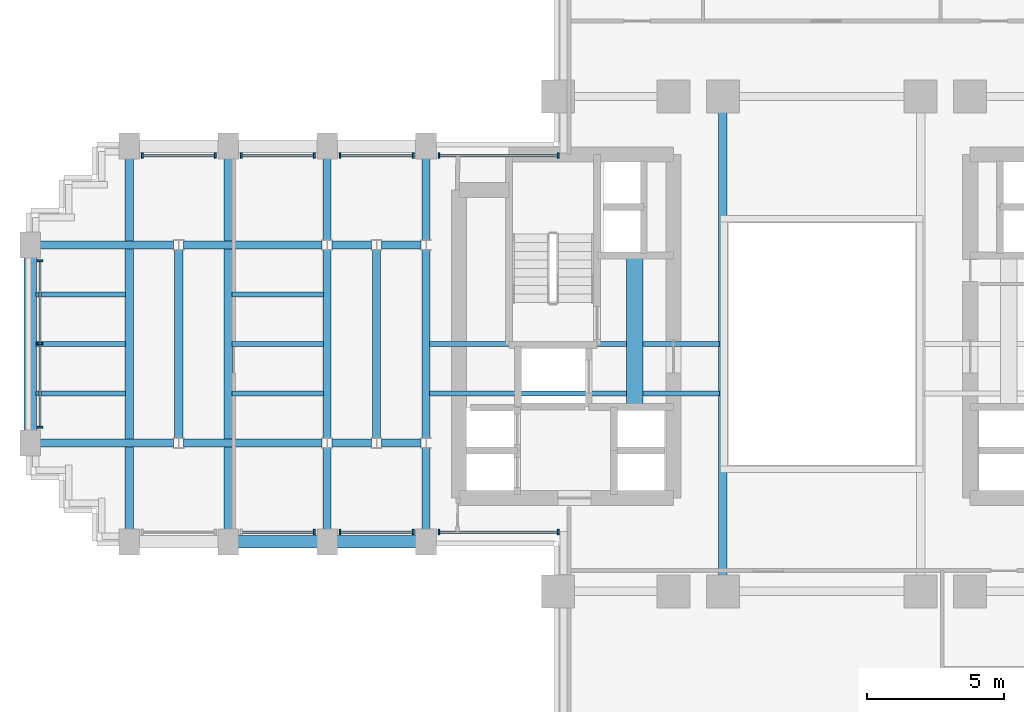
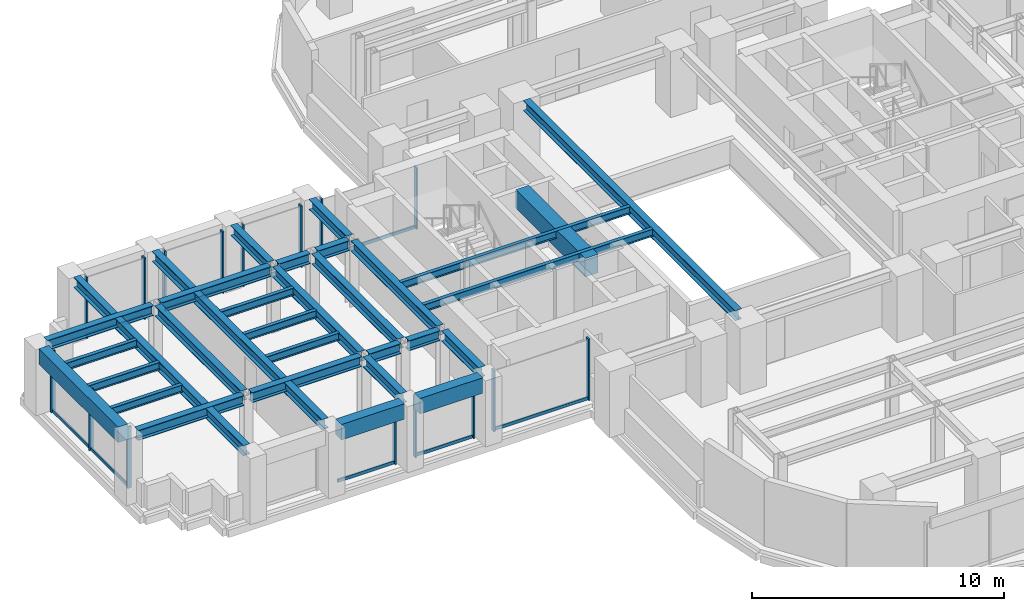
# One storey, part 4 of 16: 31 beams, 25 members, 8 elements without a shape of their own.
"""IFC4 building model written with IfcOpenShell, lengths in metres."""

import ifcopenshell
import ifcopenshell.guid

model = None  # the IFC model being written
_history = None  # IfcOwnerHistory: only IFC2X3 demands one
_inside = {}  # id of a spatial element -> (the spatial element, [elements in it])
_under = {}  # id of a project, library or spatial element -> (it, [spatial elements below it])
_declared = {}  # id of a project -> (the project, [libraries it declares])
_typed = {}  # id of a type object -> (the type object, [elements of that type])
_made_of = {}  # id of a material, layer set ... -> (it, [elements and type objects made of it])


def new_model(schema):
    """Start an empty IFC model of exactly this schema.

    Asked for "IFC4X3", IfcOpenShell would pick the latest addendum, in which some entities
    have other attributes; the version numbers below select the first issue.
    IFC2X3 requires an IfcOwnerHistory on every rooted entity: one is made here for all.
    """
    global model, _history
    if schema == "IFC4X3":
        model = ifcopenshell.file(schema_version=(4, 3, 0, 0))
    else:
        model = ifcopenshell.file(schema=schema)
    _inside.clear()
    _under.clear()
    _declared.clear()
    _typed.clear()
    _made_of.clear()
    _history = None
    if model.schema == "IFC2X3":
        org = make("IfcOrganization", Name="unknown")
        user = make(
            "IfcPersonAndOrganization",
            ThePerson=make("IfcPerson", FamilyName="unknown"),
            TheOrganization=org,
        )
        app = make(
            "IfcApplication",
            ApplicationDeveloper=org,
            Version="unknown",
            ApplicationFullName="unknown",
            ApplicationIdentifier="unknown",
        )
        _history = make(
            "IfcOwnerHistory",
            OwningUser=user,
            OwningApplication=app,
            ChangeAction="ADDED",
            CreationDate=0,
        )
    return model


def make(cls, **values):
    """One entity of the class cls with the attributes given. An attribute that is None is left unset."""
    return model.create_entity(
        cls, **{name: value for name, value in values.items() if value is not None}
    )


def rooted(cls, **values):
    """An entity with a GlobalId (a new one), such as an element, a storey or a relation."""
    return make(cls, GlobalId=ifcopenshell.guid.new(), OwnerHistory=_history, **values)


def si_unit(unit_type, name, prefix=None):
    """IfcSIUnit, for example si_unit("LENGTHUNIT", "METRE", prefix="MILLI")."""
    return make("IfcSIUnit", UnitType=unit_type, Prefix=prefix, Name=name)


def assignment(units):
    """IfcUnitAssignment: the units of a project."""
    return None if units is None else make("IfcUnitAssignment", Units=units)


def point(xyz):
    """IfcCartesianPoint."""
    return None if xyz is None else make("IfcCartesianPoint", Coordinates=xyz)


def direction(xyz):
    """IfcDirection."""
    return None if xyz is None else make("IfcDirection", DirectionRatios=xyz)


def frame(location, z_axis=None, x_axis=None):
    """IfcAxis2Placement3D, a coordinate frame: its origin and axes. An axis left out is left unset."""
    return make(
        "IfcAxis2Placement3D",
        Location=point(location),
        Axis=direction(z_axis),
        RefDirection=direction(x_axis),
    )


def frame_2d(location, x_axis=None):
    """IfcAxis2Placement2D, a coordinate frame in the plane: its origin and x axis."""
    return make(
        "IfcAxis2Placement2D", Location=point(location), RefDirection=direction(x_axis)
    )


def origin():
    """The frame at (0, 0, 0) with its axes left unset."""
    return frame((0.0, 0.0, 0.0))


def origin_2d():
    """The frame at (0, 0) in the plane with its x axis left unset."""
    return frame_2d((0.0, 0.0))


def place(relative_to, where):
    """IfcLocalPlacement: puts the frame where relative to a parent placement (None: the world)."""
    return make(
        "IfcLocalPlacement", PlacementRelTo=relative_to, RelativePlacement=where
    )


def context(
    kind, dimensions, precision=None, world=None, true_north=None, identifier=None
):
    """IfcGeometricRepresentationContext, for example the 3D "Model" context."""
    return make(
        "IfcGeometricRepresentationContext",
        ContextIdentifier=identifier,
        ContextType=kind,
        CoordinateSpaceDimension=dimensions,
        Precision=precision,
        WorldCoordinateSystem=world,
        TrueNorth=true_north,
    )


def subcontext(parent, identifier, kind, view, scale=None):
    """IfcGeometricRepresentationSubContext, for example "Body" below "Model"."""
    return make(
        "IfcGeometricRepresentationSubContext",
        ContextIdentifier=identifier,
        ContextType=kind,
        ParentContext=parent,
        TargetScale=scale,
        TargetView=view,
    )


def project(units=None, contexts=None):
    """IfcProject with its units and contexts."""
    return rooted(
        "IfcProject",
        Name="project",
        RepresentationContexts=contexts,
        UnitsInContext=assignment(units),
    )


def spatial(cls, under=None, at=None, **own):
    """A site, building, storey or space (cls), placed at a placement, below another one or the project."""
    s = rooted(cls, ObjectPlacement=at, **own)
    if under is not None:
        _under.setdefault(under.id(), (under, []))[1].append(s)
    return s


def profile(cls, at=None, kind="AREA", **sizes):
    """A parametric profile (cls). Its sizes go by their IFC names, for example OverallWidth=200.0."""
    return make(cls, ProfileType=kind, Position=at, **sizes)


def rectangle(**sizes):
    """IfcRectangleProfileDef."""
    return profile("IfcRectangleProfileDef", **sizes)


def i_section(**sizes):
    """IfcIShapeProfileDef."""
    return profile("IfcIShapeProfileDef", **sizes)


def extrude(swept, where, along, depth):
    """IfcExtrudedAreaSolid: the profile swept, set in the frame where, extruded along a direction by depth."""
    return make(
        "IfcExtrudedAreaSolid",
        SweptArea=swept,
        Position=where,
        ExtrudedDirection=direction(along),
        Depth=depth,
    )


def shape(context_of_items, identifier, shape_type, items):
    """IfcShapeRepresentation: the items that make up one representation, for example the "Body"."""
    return make(
        "IfcShapeRepresentation",
        ContextOfItems=context_of_items,
        RepresentationIdentifier=identifier,
        RepresentationType=shape_type,
        Items=items,
    )


def source(mapping_origin, context_of_items, identifier, shape_type, items):
    """IfcRepresentationMap: a shape defined once, which mapped items show again and again."""
    return make(
        "IfcRepresentationMap",
        MappingOrigin=mapping_origin,
        MappedRepresentation=shape(context_of_items, identifier, shape_type, items),
    )


def transform(
    local_origin,
    x_axis=None,
    y_axis=None,
    z_axis=None,
    scale=None,
    scale2=None,
    scale3=None,
    uniform=True,
):
    """IfcCartesianTransformationOperator3D, or its non-uniform kind. x_axis, y_axis, z_axis: its Axis1, 2, 3."""
    if uniform:
        return make(
            "IfcCartesianTransformationOperator3D",
            Axis1=direction(x_axis),
            Axis2=direction(y_axis),
            LocalOrigin=point(local_origin),
            Scale=scale,
            Axis3=direction(z_axis),
        )
    return make(
        "IfcCartesianTransformationOperator3DnonUniform",
        Axis1=direction(x_axis),
        Axis2=direction(y_axis),
        LocalOrigin=point(local_origin),
        Scale=scale,
        Axis3=direction(z_axis),
        Scale2=scale2,
        Scale3=scale3,
    )


def mapped(mapping_source, mapping_target):
    """IfcMappedItem: shows the shape of a source again, moved by a transform."""
    return make(
        "IfcMappedItem", MappingSource=mapping_source, MappingTarget=mapping_target
    )


def material(Name=None, Category=None):
    """IfcMaterial."""
    return make("IfcMaterial", Name=Name, Category=Category)


def material_profile(
    of_material, cross_section, Name=None, Category=None, Priority=None
):
    """IfcMaterialProfile: a cross section and its material."""
    return make(
        "IfcMaterialProfile",
        Name=Name,
        Material=of_material,
        Profile=cross_section,
        Priority=Priority,
        Category=Category,
    )


def profile_set(profiles, Name=None, composite=None):
    """IfcMaterialProfileSet."""
    return make(
        "IfcMaterialProfileSet",
        Name=Name,
        MaterialProfiles=profiles,
        CompositeProfile=composite,
    )


def made_of(thing, what):
    """Note that an element or type object is made of a material, layer set ...; save() writes the relation."""
    if what is not None:
        _made_of.setdefault(what.id(), (what, []))[1].append(thing)
    return thing


def type_object(cls, material=None, **own):
    """A type object (cls), such as IfcWallType, which elements share."""
    return made_of(rooted(cls, **own), material)


def element(
    cls,
    number,
    at=None,
    inside=None,
    cuts=None,
    type_object=None,
    material=None,
    context=None,
    identifier="Body",
    shape_type=None,
    held_by="IfcProductDefinitionShape",
    body=None,
    shapes=None,
    **own,
):
    """One element of the class cls, such as IfcWall. Its Tag is "e" and its number.

    at: its placement. inside: the storey or other place that contains it. cuts: it is an
    opening in that element (IfcRelVoidsElement). A single representation is given by context,
    identifier, shape_type and body (its items); several are given by shapes. held_by: the class
    of the entity that holds the representations. save() writes the other relations.
    """
    e = rooted(cls, Tag="e%d" % number, ObjectPlacement=at, **own)
    if body is not None:
        shapes = [shape(context, identifier, shape_type, body)]
    if shapes is not None:
        e.Representation = make(held_by, Representations=shapes)
    if inside is not None:
        _inside.setdefault(inside.id(), (inside, []))[1].append(e)
    if cuts is not None:
        rooted(
            "IfcRelVoidsElement", RelatingBuildingElement=cuts, RelatedOpeningElement=e
        )
    if type_object is not None:
        _typed.setdefault(type_object.id(), (type_object, []))[1].append(e)
    return made_of(e, material)


def aggregate(whole, parts):
    """IfcRelAggregates: a whole, such as a stair, and the parts it consists of."""
    return rooted("IfcRelAggregates", RelatingObject=whole, RelatedObjects=parts)


def save(model, path):
    """Write the relations noted so far, then the file.

    IfcRelAggregates (storeys below a building ...), IfcRelContainedInSpatialStructure (elements
    in a storey), IfcRelDefinesByType, IfcRelAssociatesMaterial and IfcRelDeclares: one each for
    every whole, place, type object, material and project.
    """
    for whole, parts in _under.values():
        aggregate(whole, parts)
    for where, things in _inside.values():
        rooted(
            "IfcRelContainedInSpatialStructure",
            RelatedElements=things,
            RelatingStructure=where,
        )
    for kind, things in _typed.values():
        rooted("IfcRelDefinesByType", RelatedObjects=things, RelatingType=kind)
    for what, things in _made_of.values():
        rooted("IfcRelAssociatesMaterial", RelatedObjects=things, RelatingMaterial=what)
    for by, libraries in _declared.values():
        rooted("IfcRelDeclares", RelatingContext=by, RelatedDefinitions=libraries)
    model.write(path)


model = new_model("IFC4")

# Units and contexts
model_context = context("Model", 3, precision=1e-05, world=origin(), true_north=direction((0.0, 1.0)))
body_context = subcontext(model_context, "Body", "Model", "MODEL_VIEW")
ifc_project = project(units=[si_unit("LENGTHUNIT", "METRE"), si_unit("AREAUNIT", "SQUARE_METRE"), si_unit("VOLUMEUNIT", "CUBIC_METRE"), si_unit("PLANEANGLEUNIT", "RADIAN"), si_unit("MASSUNIT", "GRAM", prefix="KILO")], contexts=[model_context])

# Site, building, storey
site_placement = place(None, origin())
site = spatial("IfcSite", under=ifc_project, at=site_placement, CompositionType="ELEMENT")
building_placement = place(site_placement, origin())
building = spatial("IfcBuilding", under=site, at=building_placement, Name="Keilestroom Media Tower", CompositionType="ELEMENT")
storey_placement = place(building_placement, frame((0.0, 0.0, 68.0)))
storey = spatial("IfcBuildingStorey", under=building, at=storey_placement, Name="L17", CompositionType="ELEMENT", Elevation=68.0)

# Beams
ifc_material_1 = material(Name="Concrete C70/85", Category="concrete")
ifc_material_profile_1 = material_profile(ifc_material_1, rectangle(XDim=0.60009765625, YDim=0.89990234375, at=origin_2d()), Name="RC 600x900")
ifc_profile_set_1 = profile_set([ifc_material_profile_1], Name="Concrete C70/85")
beam_type_1 = type_object("IfcBeamType", Name="Core-Coupling-Lintel-Beam-RC-600x900", PredefinedType="LINTEL", material=ifc_profile_set_1)
shared_shape_1 = source(origin(), body_context, "Body", "SweptSolid", [
    extrude(rectangle(XDim=0.60009765625, YDim=0.89990234375, at=origin_2d()), origin(), (0.0, 0.0, 1.0), 5.52001953125),
])
beam_1_placement = place(storey_placement, frame((-6.800048828125, -2.300048828125, 2.75), z_axis=(0.0, 1.0, 0.0), x_axis=(-1.0, 0.0, 0.0)))
element("IfcBeam", 1, at=beam_1_placement, inside=storey, type_object=beam_type_1, Name="L17 Beam CLB-1 CLB-L17-W", PredefinedType="LINTEL", context=body_context, shape_type="MappedRepresentation", body=[
    mapped(shared_shape_1, transform((0.0, 0.0, 0.0), x_axis=(1.0, 0.0, 0.0), y_axis=(0.0, 1.0, 0.0), z_axis=(0.0, 0.0, 1.0), scale=1.0)),
])
ifc_material_2 = material(Name="Precast concrete C40/50", Category="concrete")
ifc_material_profile_2 = material_profile(ifc_material_2, rectangle(XDim=0.449951171875, YDim=0.75, at=origin_2d()), Name="PC 450x750")
ifc_profile_set_2 = profile_set([ifc_material_profile_2], Name="Precast concrete C40/50")
beam_type_2 = type_object("IfcBeamType", Name="Perimeter-Spandrel-Beam-PC-450x750", PredefinedType="SPANDREL", material=ifc_profile_set_2)
shared_shape_2 = source(origin(), body_context, "Body", "SweptSolid", [
    extrude(rectangle(XDim=0.449951171875, YDim=0.75, at=origin_2d()), origin(), (0.0, 0.0, 1.0), 6.2900390625),
])
beam_2_placement = place(storey_placement, frame((-28.800048828125, -3.14501953125, 2.824951171875), z_axis=(0.0, 1.0, 0.0), x_axis=(-1.0, 0.0, 0.0)))
element("IfcBeam", 2, at=beam_2_placement, inside=storey, type_object=beam_type_2, Name="L17 Beam SPB-1 BM-L17-NS-051", PredefinedType="SPANDREL", context=body_context, shape_type="MappedRepresentation", body=[
    mapped(shared_shape_2, transform((0.0, 0.0, 0.0), x_axis=(1.0, 0.0, 0.0), y_axis=(0.0, 1.0, 0.0), z_axis=(0.0, 0.0, 1.0), scale=1.0)),
])
shared_shape_3 = source(origin(), body_context, "Body", "SweptSolid", [
    extrude(rectangle(XDim=0.449951171875, YDim=0.75, at=origin_2d()), origin(), (0.0, 0.0, 1.0), 2.89013671875),
])
for number, where, z_axis, x_axis, name in (
    (3, (-21.2451171875, -7.199951171875, 2.824951171875), (1.0, 0.0, 0.0), (0.0, 1.0, 0.0), "L17 Beam SPB-1 BM-L17-EW-013"),
    (4, (-17.64501953125, -7.199951171875, 2.824951171875), (1.0, 0.0, 0.0), (0.0, 1.0, 0.0), "L17 Beam SPB-1 BM-L17-EW-014"),
):
    element("IfcBeam", number, at=place(storey_placement, frame(where, z_axis=z_axis, x_axis=x_axis)), inside=storey, type_object=beam_type_2, Name=name, PredefinedType="SPANDREL", context=body_context, shape_type="MappedRepresentation", body=[
        mapped(shared_shape_3, transform((0.0, 0.0, 0.0), x_axis=(1.0, 0.0, 0.0), y_axis=(0.0, 1.0, 0.0), z_axis=(0.0, 0.0, 1.0), scale=1.0)),
    ])
ifc_material_3 = material(Name="Steel S355", Category="steel")
ifc_material_profile_3 = material_profile(ifc_material_3, i_section(OverallWidth=0.300048828125, OverallDepth=0.5, WebThickness=0.012451171875, FlangeThickness=0.028076171875, at=origin_2d()), Name="HEB 500")
ifc_profile_set_3 = profile_set([ifc_material_profile_3], Name="Steel S355")
beam_type_3 = type_object("IfcBeamType", Name="Primary-Structural-Girder-HEB-500", PredefinedType="BEAM", material=ifc_profile_set_3)
shared_shape_4 = source(origin(), body_context, "Body", "SweptSolid", [
    extrude(i_section(OverallWidth=0.300048828125, OverallDepth=0.5, WebThickness=0.012451171875, FlangeThickness=0.028076171875, at=origin_2d()), origin(), (0.0, 0.0, 1.0), 13.490234375),
])
for number, where, z_axis, x_axis, name in (
    (5, (-25.199951171875, -6.7451171875, 2.949951171875), (0.0, 1.0, 0.0), (-1.0, 0.0, 0.0), "L17 Beam BG-6 BM-L17-NS-052"),
    (6, (-21.60009765625, -6.7451171875, 2.949951171875), (0.0, 1.0, 0.0), (-1.0, 0.0, 0.0), "L17 Beam BG-6 BM-L17-NS-054"),
):
    element("IfcBeam", number, at=place(storey_placement, frame(where, z_axis=z_axis, x_axis=x_axis)), inside=storey, type_object=beam_type_3, Name=name, PredefinedType="BEAM", context=body_context, shape_type="MappedRepresentation", body=[
        mapped(shared_shape_4, transform((0.0, 0.0, 0.0), x_axis=(1.0, 0.0, 0.0), y_axis=(0.0, 1.0, 0.0), z_axis=(0.0, 0.0, 1.0), scale=1.0)),
    ])
shared_shape_5 = source(origin(), body_context, "Body", "SweptSolid", [
    extrude(i_section(OverallWidth=0.300048828125, OverallDepth=0.5, WebThickness=0.012451171875, FlangeThickness=0.028076171875, at=origin_2d()), origin(), (0.0, 0.0, 1.0), 6.8330078125),
])
for number, where, z_axis, x_axis, name in (
    (7, (-23.39990234375, -3.41650390625, 2.949951171875), (0.0, 1.0, 0.0), (-1.0, 0.0, 0.0), "L17 Beam BG-6 BM-L17-NS-053"),
    (8, (-18.0, -3.41650390625, 2.949951171875), (0.0, 1.0, 0.0), (-1.0, 0.0, 0.0), "L17 Beam BG-6 BM-L17-NS-056"),
    (9, (-16.199951171875, -3.41650390625, 2.949951171875), (0.0, 1.0, 0.0), (-1.0, 0.0, 0.0), "L17 Beam BG-6 BM-L17-NS-058"),
    (10, (-14.39990234375, -3.41650390625, 2.949951171875), (0.0, 1.0, 0.0), (-1.0, 0.0, 0.0), "L17 Beam BG-6 BM-L17-NS-060"),
):
    element("IfcBeam", number, at=place(storey_placement, frame(where, z_axis=z_axis, x_axis=x_axis)), inside=storey, type_object=beam_type_3, Name=name, PredefinedType="BEAM", context=body_context, shape_type="MappedRepresentation", body=[
        mapped(shared_shape_5, transform((0.0, 0.0, 0.0), x_axis=(1.0, 0.0, 0.0), y_axis=(0.0, 1.0, 0.0), z_axis=(0.0, 0.0, 1.0), scale=1.0)),
    ])
shared_shape_6 = source(origin(), body_context, "Body", "SweptSolid", [
    extrude(i_section(OverallWidth=0.300048828125, OverallDepth=0.5, WebThickness=0.012451171875, FlangeThickness=0.028076171875, at=origin_2d()), origin(), (0.0, 0.0, 1.0), 2.961669921875),
])
for number, where, z_axis, x_axis, name in (
    (11, (-18.0, -6.7451171875, 2.949951171875), (0.0, 1.0, 0.0), (-1.0, 0.0, 0.0), "L17 Beam BG-6 BM-L17-NS-055"),
    (12, (-18.0, 3.783447265625, 2.949951171875), (0.0, 1.0, 0.0), (-1.0, 0.0, 0.0), "L17 Beam BG-6 BM-L17-NS-057"),
    (13, (-14.39990234375, -6.7451171875, 2.949951171875), (0.0, 1.0, 0.0), (-1.0, 0.0, 0.0), "L17 Beam BG-6 BM-L17-NS-059"),
    (14, (-14.39990234375, 3.783447265625, 2.949951171875), (0.0, 1.0, 0.0), (-1.0, 0.0, 0.0), "L17 Beam BG-6 BM-L17-NS-061"),
):
    element("IfcBeam", number, at=place(storey_placement, frame(where, z_axis=z_axis, x_axis=x_axis)), inside=storey, type_object=beam_type_3, Name=name, PredefinedType="BEAM", context=body_context, shape_type="MappedRepresentation", body=[
        mapped(shared_shape_6, transform((0.0, 0.0, 0.0), x_axis=(1.0, 0.0, 0.0), y_axis=(0.0, 1.0, 0.0), z_axis=(0.0, 0.0, 1.0), scale=1.0)),
    ])
shared_shape_7 = source(origin(), body_context, "Body", "SweptSolid", [
    extrude(i_section(OverallWidth=0.300048828125, OverallDepth=0.5, WebThickness=0.012451171875, FlangeThickness=0.028076171875, at=origin_2d()), origin(), (0.0, 0.0, 1.0), 16.83984375),
])
beam_3_placement = place(storey_placement, frame((-3.60009765625, -8.419921875, 2.949951171875), z_axis=(0.0, 1.0, 0.0), x_axis=(-1.0, 0.0, 0.0)))
element("IfcBeam", 15, at=beam_3_placement, inside=storey, type_object=beam_type_3, Name="L17 Beam BG-6 BM-L17-NS-066", PredefinedType="BEAM", context=body_context, shape_type="MappedRepresentation", body=[
    mapped(shared_shape_7, transform((0.0, 0.0, 0.0), x_axis=(1.0, 0.0, 0.0), y_axis=(0.0, 1.0, 0.0), z_axis=(0.0, 0.0, 1.0), scale=1.0)),
])
ifc_material_profile_4 = material_profile(ifc_material_3, i_section(OverallWidth=0.300048828125, OverallDepth=0.489990234375, WebThickness=0.011962890625, FlangeThickness=0.02294921875, at=origin_2d()), Name="HEA 500")
ifc_profile_set_4 = profile_set([ifc_material_profile_4], Name="Steel S355")
beam_type_4 = type_object("IfcBeamType", Name="Primary-Structural-Girder-HEA-500", PredefinedType="BEAM", material=ifc_profile_set_4)
shared_shape_8 = source(origin(), body_context, "Body", "SweptSolid", [
    extrude(i_section(OverallWidth=0.300048828125, OverallDepth=0.489990234375, WebThickness=0.011962890625, FlangeThickness=0.02294921875, at=origin_2d()), origin(), (0.0, 0.0, 1.0), 4.863037109375),
])
for number, where, z_axis, x_axis, name in (
    (16, (-28.445068359375, -3.60009765625, 2.955078125), (1.0, 0.0, 0.0), (0.0, 1.0, 0.0), "L17 Beam BG-10 BM-L17-EW-018"),
    (17, (-28.445068359375, 3.60009765625, 2.955078125), (1.0, 0.0, 0.0), (0.0, 1.0, 0.0), "L17 Beam BG-10 BM-L17-EW-026"),
):
    element("IfcBeam", number, at=place(storey_placement, frame(where, z_axis=z_axis, x_axis=x_axis)), inside=storey, type_object=beam_type_4, Name=name, PredefinedType="BEAM", context=body_context, shape_type="MappedRepresentation", body=[
        mapped(shared_shape_8, transform((0.0, 0.0, 0.0), x_axis=(1.0, 0.0, 0.0), y_axis=(0.0, 1.0, 0.0), z_axis=(0.0, 0.0, 1.0), scale=1.0)),
    ])
shared_shape_9 = source(origin(), body_context, "Body", "SweptSolid", [
    extrude(i_section(OverallWidth=0.300048828125, OverallDepth=0.489990234375, WebThickness=0.011962890625, FlangeThickness=0.02294921875, at=origin_2d()), origin(), (0.0, 0.0, 1.0), 5.0361328125),
])
for number, where, z_axis, x_axis, name in (
    (18, (-23.218017578125, -3.60009765625, 2.955078125), (1.0, 0.0, 0.0), (0.0, 1.0, 0.0), "L17 Beam BG-10 BM-L17-EW-019"),
    (19, (-23.218017578125, 3.60009765625, 2.955078125), (1.0, 0.0, 0.0), (0.0, 1.0, 0.0), "L17 Beam BG-10 BM-L17-EW-027"),
):
    element("IfcBeam", number, at=place(storey_placement, frame(where, z_axis=z_axis, x_axis=x_axis)), inside=storey, type_object=beam_type_4, Name=name, PredefinedType="BEAM", context=body_context, shape_type="MappedRepresentation", body=[
        mapped(shared_shape_9, transform((0.0, 0.0, 0.0), x_axis=(1.0, 0.0, 0.0), y_axis=(0.0, 1.0, 0.0), z_axis=(0.0, 0.0, 1.0), scale=1.0)),
    ])
shared_shape_10 = source(origin(), body_context, "Body", "SweptSolid", [
    extrude(i_section(OverallWidth=0.300048828125, OverallDepth=0.489990234375, WebThickness=0.011962890625, FlangeThickness=0.02294921875, at=origin_2d()), origin(), (0.0, 0.0, 1.0), 1.43603515625),
])
for number, where, z_axis, x_axis, name in (
    (20, (-17.818115234375, -3.60009765625, 2.955078125), (1.0, 0.0, 0.0), (0.0, 1.0, 0.0), "L17 Beam BG-10 BM-L17-EW-020"),
    (21, (-16.01806640625, -3.60009765625, 2.955078125), (1.0, 0.0, 0.0), (0.0, 1.0, 0.0), "L17 Beam BG-10 BM-L17-EW-021"),
    (22, (-17.818115234375, 3.60009765625, 2.955078125), (1.0, 0.0, 0.0), (0.0, 1.0, 0.0), "L17 Beam BG-10 BM-L17-EW-028"),
    (23, (-16.01806640625, 3.60009765625, 2.955078125), (1.0, 0.0, 0.0), (0.0, 1.0, 0.0), "L17 Beam BG-10 BM-L17-EW-029"),
):
    element("IfcBeam", number, at=place(storey_placement, frame(where, z_axis=z_axis, x_axis=x_axis)), inside=storey, type_object=beam_type_4, Name=name, PredefinedType="BEAM", context=body_context, shape_type="MappedRepresentation", body=[
        mapped(shared_shape_10, transform((0.0, 0.0, 0.0), x_axis=(1.0, 0.0, 0.0), y_axis=(0.0, 1.0, 0.0), z_axis=(0.0, 0.0, 1.0), scale=1.0)),
    ])
ifc_material_profile_5 = material_profile(ifc_material_3, i_section(OverallWidth=0.169921875, OverallDepth=0.360107421875, WebThickness=0.008056640625, FlangeThickness=0.0126953125, at=origin_2d()), Name="IPE 360")
ifc_profile_set_5 = profile_set([ifc_material_profile_5], Name="Steel S355")
beam_type_5 = type_object("IfcBeamType", Name="Secondary-Floor-Joist-IPE-360", PredefinedType="JOIST", material=ifc_profile_set_5)
shared_shape_11 = source(origin(), body_context, "Body", "SweptSolid", [
    extrude(i_section(OverallWidth=0.169921875, OverallDepth=0.360107421875, WebThickness=0.008056640625, FlangeThickness=0.0126953125, at=origin_2d()), origin(), (0.0, 0.0, 1.0), 3.264892578125),
])
for number, where, z_axis, x_axis, name in (
    (24, (-28.594970703125, -1.800048828125, 3.02001953125), (1.0, 0.0, 0.0), (0.0, 1.0, 0.0), "L17 Beam BJ-5 JST-L17-089"),
    (25, (-28.594970703125, 0.0, 3.02001953125), (1.0, 0.0, 0.0), (0.0, 1.0, 0.0), "L17 Beam BJ-5 JST-L17-096"),
    (26, (-28.594970703125, 1.800048828125, 3.02001953125), (1.0, 0.0, 0.0), (0.0, 1.0, 0.0), "L17 Beam BJ-5 JST-L17-103"),
):
    element("IfcBeam", number, at=place(storey_placement, frame(where, z_axis=z_axis, x_axis=x_axis)), inside=storey, type_object=beam_type_5, Name=name, PredefinedType="JOIST", context=body_context, shape_type="MappedRepresentation", body=[
        mapped(shared_shape_11, transform((0.0, 0.0, 0.0), x_axis=(1.0, 0.0, 0.0), y_axis=(0.0, 1.0, 0.0), z_axis=(0.0, 0.0, 1.0), scale=1.0)),
    ])
shared_shape_12 = source(origin(), body_context, "Body", "SweptSolid", [
    extrude(i_section(OverallWidth=0.169921875, OverallDepth=0.360107421875, WebThickness=0.008056640625, FlangeThickness=0.0126953125, at=origin_2d()), origin(), (0.0, 0.0, 1.0), 3.340087890625),
])
for number, where, z_axis, x_axis, name in (
    (27, (-21.469970703125, -1.800048828125, 3.02001953125), (1.0, 0.0, 0.0), (0.0, 1.0, 0.0), "L17 Beam BJ-5 JST-L17-090"),
    (28, (-21.469970703125, 0.0, 3.02001953125), (1.0, 0.0, 0.0), (0.0, 1.0, 0.0), "L17 Beam BJ-5 JST-L17-097"),
    (29, (-21.469970703125, 1.800048828125, 3.02001953125), (1.0, 0.0, 0.0), (0.0, 1.0, 0.0), "L17 Beam BJ-5 JST-L17-104"),
):
    element("IfcBeam", number, at=place(storey_placement, frame(where, z_axis=z_axis, x_axis=x_axis)), inside=storey, type_object=beam_type_5, Name=name, PredefinedType="JOIST", context=body_context, shape_type="MappedRepresentation", body=[
        mapped(shared_shape_12, transform((0.0, 0.0, 0.0), x_axis=(1.0, 0.0, 0.0), y_axis=(0.0, 1.0, 0.0), z_axis=(0.0, 0.0, 1.0), scale=1.0)),
    ])
shared_shape_13 = source(origin(), body_context, "Body", "SweptSolid", [
    extrude(i_section(OverallWidth=0.169921875, OverallDepth=0.360107421875, WebThickness=0.008056640625, FlangeThickness=0.0126953125, at=origin_2d()), origin(), (0.0, 0.0, 1.0), 10.5400390625),
])
for number, where, z_axis, x_axis, name in (
    (30, (-14.27001953125, -1.800048828125, 3.02001953125), (1.0, 0.0, 0.0), (0.0, 1.0, 0.0), "L17 Beam BJ-5 JST-L17-091"),
    (31, (-14.27001953125, 0.0, 3.02001953125), (1.0, 0.0, 0.0), (0.0, 1.0, 0.0), "L17 Beam BJ-5 JST-L17-098"),
):
    element("IfcBeam", number, at=place(storey_placement, frame(where, z_axis=z_axis, x_axis=x_axis)), inside=storey, type_object=beam_type_5, Name=name, PredefinedType="JOIST", context=body_context, shape_type="MappedRepresentation", body=[
        mapped(shared_shape_13, transform((0.0, 0.0, 0.0), x_axis=(1.0, 0.0, 0.0), y_axis=(0.0, 1.0, 0.0), z_axis=(0.0, 0.0, 1.0), scale=1.0)),
    ])

# Curtain wall, members
ifc_material_4 = material(Name="Anodised Aluminium Alloy", Category="aluminium")
curtain_wall_type = type_object("IfcCurtainWallType", Name="Unitised-Curtain-Wall-CW-1", PredefinedType="NOTDEFINED", material=ifc_material_4)
curtain_wall_1_placement = place(storey_placement, origin())
curtain_wall_1 = element("IfcCurtainWall", 32, at=curtain_wall_1_placement, inside=storey, type_object=curtain_wall_type, Name="L17 Curtain Wall CW-1 CW-L17-W-1", PredefinedType="NOTDEFINED")
ifc_material_profile_6 = material_profile(ifc_material_4, rectangle(XDim=0.070068359375, YDim=0.199951171875, at=origin_2d()), Name="ALU MULLION 70x200")
ifc_profile_set_6 = profile_set([ifc_material_profile_6], Name="Anodised Aluminium Alloy")
member_type_1 = type_object("IfcMemberType", Name="Curtain-Wall-Mullion-CW-1", PredefinedType="MULLION", material=ifc_profile_set_6)
shared_shape_14 = source(origin(), body_context, "Body", "SweptSolid", [
    extrude(rectangle(XDim=0.070068359375, YDim=0.199951171875, at=origin_2d()), origin(), (0.0, 0.0, 1.0), 2.97998046875),
])
member_1_placement = place(storey_placement, frame((-28.449951171875, -3.030029296875, 0.0), z_axis=(0.0, 0.0, 1.0), x_axis=(0.0, 1.0, 0.0)))
member_1 = element("IfcMember", 33, at=member_1_placement, type_object=member_type_1, Name="CW-1 Mullion 00", PredefinedType="MULLION", context=body_context, shape_type="MappedRepresentation", body=[
    mapped(shared_shape_14, transform((0.0, 0.0, 0.0), x_axis=(1.0, 0.0, 0.0), y_axis=(0.0, 1.0, 0.0), z_axis=(0.0, 0.0, 1.0), scale=1.0)),
])
member_2_placement = place(storey_placement, frame((-28.449951171875, 0.0, 0.0), z_axis=(0.0, 0.0, 1.0), x_axis=(0.0, 1.0, 0.0)))
member_2 = element("IfcMember", 34, at=member_2_placement, type_object=member_type_1, Name="CW-1 Mullion 01", PredefinedType="MULLION", context=body_context, shape_type="MappedRepresentation", body=[
    mapped(shared_shape_14, transform((0.0, 0.0, 0.0), x_axis=(1.0, 0.0, 0.0), y_axis=(0.0, 1.0, 0.0), z_axis=(0.0, 0.0, 1.0), scale=1.0)),
])
member_3_placement = place(storey_placement, frame((-28.449951171875, 3.030029296875, 0.0), z_axis=(0.0, 0.0, 1.0), x_axis=(0.0, 1.0, 0.0)))
member_3 = element("IfcMember", 35, at=member_3_placement, type_object=member_type_1, Name="CW-1 Mullion 02", PredefinedType="MULLION", context=body_context, shape_type="MappedRepresentation", body=[
    mapped(shared_shape_14, transform((0.0, 0.0, 0.0), x_axis=(1.0, 0.0, 0.0), y_axis=(0.0, 1.0, 0.0), z_axis=(0.0, 0.0, 1.0), scale=1.0)),
])

curtain_wall_2_placement = place(storey_placement, origin())
curtain_wall_2 = element("IfcCurtainWall", 36, at=curtain_wall_2_placement, inside=storey, type_object=curtain_wall_type, Name="L17 Curtain Wall CW-1 CW-L17-NW-1", PredefinedType="NOTDEFINED")
member_4_placement = place(storey_placement, frame((-24.72998046875, 6.85009765625, 0.0), z_axis=(0.0, 0.0, 1.0), x_axis=(1.0, 0.0, 0.0)))
member_4 = element("IfcMember", 37, at=member_4_placement, type_object=member_type_1, Name="CW-1 Mullion 00", PredefinedType="MULLION", context=body_context, shape_type="MappedRepresentation", body=[
    mapped(shared_shape_14, transform((0.0, 0.0, 0.0), x_axis=(1.0, 0.0, 0.0), y_axis=(0.0, 1.0, 0.0), z_axis=(0.0, 0.0, 1.0), scale=1.0)),
])
member_5_placement = place(storey_placement, frame((-22.070068359375, 6.85009765625, 0.0), z_axis=(0.0, 0.0, 1.0), x_axis=(1.0, 0.0, 0.0)))
member_5 = element("IfcMember", 38, at=member_5_placement, type_object=member_type_1, Name="CW-1 Mullion 01", PredefinedType="MULLION", context=body_context, shape_type="MappedRepresentation", body=[
    mapped(shared_shape_14, transform((0.0, 0.0, 0.0), x_axis=(1.0, 0.0, 0.0), y_axis=(0.0, 1.0, 0.0), z_axis=(0.0, 0.0, 1.0), scale=1.0)),
])

curtain_wall_3_placement = place(storey_placement, origin())
curtain_wall_3 = element("IfcCurtainWall", 39, at=curtain_wall_3_placement, inside=storey, type_object=curtain_wall_type, Name="L17 Curtain Wall CW-1 CW-L17-NW-2", PredefinedType="NOTDEFINED")
member_6_placement = place(storey_placement, frame((-21.1298828125, 6.85009765625, 0.0), z_axis=(0.0, 0.0, 1.0), x_axis=(1.0, 0.0, 0.0)))
member_6 = element("IfcMember", 40, at=member_6_placement, type_object=member_type_1, Name="CW-1 Mullion 00", PredefinedType="MULLION", context=body_context, shape_type="MappedRepresentation", body=[
    mapped(shared_shape_14, transform((0.0, 0.0, 0.0), x_axis=(1.0, 0.0, 0.0), y_axis=(0.0, 1.0, 0.0), z_axis=(0.0, 0.0, 1.0), scale=1.0)),
])
member_7_placement = place(storey_placement, frame((-18.469970703125, 6.85009765625, 0.0), z_axis=(0.0, 0.0, 1.0), x_axis=(1.0, 0.0, 0.0)))
member_7 = element("IfcMember", 41, at=member_7_placement, type_object=member_type_1, Name="CW-1 Mullion 01", PredefinedType="MULLION", context=body_context, shape_type="MappedRepresentation", body=[
    mapped(shared_shape_14, transform((0.0, 0.0, 0.0), x_axis=(1.0, 0.0, 0.0), y_axis=(0.0, 1.0, 0.0), z_axis=(0.0, 0.0, 1.0), scale=1.0)),
])

curtain_wall_4_placement = place(storey_placement, origin())
curtain_wall_4 = element("IfcCurtainWall", 42, at=curtain_wall_4_placement, inside=storey, type_object=curtain_wall_type, Name="L17 Curtain Wall CW-1 CW-L17-NW-3", PredefinedType="NOTDEFINED")
member_8_placement = place(storey_placement, frame((-17.530029296875, 6.85009765625, 0.0), z_axis=(0.0, 0.0, 1.0), x_axis=(1.0, 0.0, 0.0)))
member_8 = element("IfcMember", 43, at=member_8_placement, type_object=member_type_1, Name="CW-1 Mullion 00", PredefinedType="MULLION", context=body_context, shape_type="MappedRepresentation", body=[
    mapped(shared_shape_14, transform((0.0, 0.0, 0.0), x_axis=(1.0, 0.0, 0.0), y_axis=(0.0, 1.0, 0.0), z_axis=(0.0, 0.0, 1.0), scale=1.0)),
])
member_9_placement = place(storey_placement, frame((-14.8701171875, 6.85009765625, 0.0), z_axis=(0.0, 0.0, 1.0), x_axis=(1.0, 0.0, 0.0)))
member_9 = element("IfcMember", 44, at=member_9_placement, type_object=member_type_1, Name="CW-1 Mullion 01", PredefinedType="MULLION", context=body_context, shape_type="MappedRepresentation", body=[
    mapped(shared_shape_14, transform((0.0, 0.0, 0.0), x_axis=(1.0, 0.0, 0.0), y_axis=(0.0, 1.0, 0.0), z_axis=(0.0, 0.0, 1.0), scale=1.0)),
])

curtain_wall_5_placement = place(storey_placement, origin())
curtain_wall_5 = element("IfcCurtainWall", 45, at=curtain_wall_5_placement, inside=storey, type_object=curtain_wall_type, Name="L17 Curtain Wall CW-1 CW-L17-NW-4", PredefinedType="NOTDEFINED")
member_10_placement = place(storey_placement, frame((-13.929931640625, 6.85009765625, 0.0), z_axis=(0.0, 0.0, 1.0), x_axis=(1.0, 0.0, 0.0)))
member_10 = element("IfcMember", 46, at=member_10_placement, type_object=member_type_1, Name="CW-1 Mullion 00", PredefinedType="MULLION", context=body_context, shape_type="MappedRepresentation", body=[
    mapped(shared_shape_14, transform((0.0, 0.0, 0.0), x_axis=(1.0, 0.0, 0.0), y_axis=(0.0, 1.0, 0.0), z_axis=(0.0, 0.0, 1.0), scale=1.0)),
])
member_11_placement = place(storey_placement, frame((-9.5849609375, 6.85009765625, 0.0), z_axis=(0.0, 0.0, 1.0), x_axis=(1.0, 0.0, 0.0)))
member_11 = element("IfcMember", 47, at=member_11_placement, type_object=member_type_1, Name="CW-1 Mullion 01", PredefinedType="MULLION", context=body_context, shape_type="MappedRepresentation", body=[
    mapped(shared_shape_14, transform((0.0, 0.0, 0.0), x_axis=(1.0, 0.0, 0.0), y_axis=(0.0, 1.0, 0.0), z_axis=(0.0, 0.0, 1.0), scale=1.0)),
])

# Curtain wall, member
curtain_wall_6_placement = place(storey_placement, origin())
curtain_wall_6 = element("IfcCurtainWall", 48, at=curtain_wall_6_placement, inside=storey, type_object=curtain_wall_type, Name="L17 Curtain Wall CW-1 CW-L17-SW-2", PredefinedType="NOTDEFINED")
member_12_placement = place(storey_placement, frame((-18.469970703125, -6.85009765625, 0.0), z_axis=(0.0, 0.0, 1.0), x_axis=(1.0, 0.0, 0.0)))
member_12 = element("IfcMember", 49, at=member_12_placement, type_object=member_type_1, Name="CW-1 Mullion 01", PredefinedType="MULLION", context=body_context, shape_type="MappedRepresentation", body=[
    mapped(shared_shape_14, transform((0.0, 0.0, 0.0), x_axis=(1.0, 0.0, 0.0), y_axis=(0.0, 1.0, 0.0), z_axis=(0.0, 0.0, 1.0), scale=1.0)),
])

# Curtain wall, members
curtain_wall_7_placement = place(storey_placement, origin())
curtain_wall_7 = element("IfcCurtainWall", 50, at=curtain_wall_7_placement, inside=storey, type_object=curtain_wall_type, Name="L17 Curtain Wall CW-1 CW-L17-SW-3", PredefinedType="NOTDEFINED")
member_13_placement = place(storey_placement, frame((-17.530029296875, -6.85009765625, 0.0), z_axis=(0.0, 0.0, 1.0), x_axis=(1.0, 0.0, 0.0)))
member_13 = element("IfcMember", 51, at=member_13_placement, type_object=member_type_1, Name="CW-1 Mullion 00", PredefinedType="MULLION", context=body_context, shape_type="MappedRepresentation", body=[
    mapped(shared_shape_14, transform((0.0, 0.0, 0.0), x_axis=(1.0, 0.0, 0.0), y_axis=(0.0, 1.0, 0.0), z_axis=(0.0, 0.0, 1.0), scale=1.0)),
])
member_14_placement = place(storey_placement, frame((-14.8701171875, -6.85009765625, 0.0), z_axis=(0.0, 0.0, 1.0), x_axis=(1.0, 0.0, 0.0)))
member_14 = element("IfcMember", 52, at=member_14_placement, type_object=member_type_1, Name="CW-1 Mullion 01", PredefinedType="MULLION", context=body_context, shape_type="MappedRepresentation", body=[
    mapped(shared_shape_14, transform((0.0, 0.0, 0.0), x_axis=(1.0, 0.0, 0.0), y_axis=(0.0, 1.0, 0.0), z_axis=(0.0, 0.0, 1.0), scale=1.0)),
])

curtain_wall_8_placement = place(storey_placement, origin())
curtain_wall_8 = element("IfcCurtainWall", 53, at=curtain_wall_8_placement, inside=storey, type_object=curtain_wall_type, Name="L17 Curtain Wall CW-1 CW-L17-SW-4", PredefinedType="NOTDEFINED")
member_15_placement = place(storey_placement, frame((-13.929931640625, -6.85009765625, 0.0), z_axis=(0.0, 0.0, 1.0), x_axis=(1.0, 0.0, 0.0)))
member_15 = element("IfcMember", 54, at=member_15_placement, type_object=member_type_1, Name="CW-1 Mullion 00", PredefinedType="MULLION", context=body_context, shape_type="MappedRepresentation", body=[
    mapped(shared_shape_14, transform((0.0, 0.0, 0.0), x_axis=(1.0, 0.0, 0.0), y_axis=(0.0, 1.0, 0.0), z_axis=(0.0, 0.0, 1.0), scale=1.0)),
])
member_16_placement = place(storey_placement, frame((-9.5849609375, -6.85009765625, 0.0), z_axis=(0.0, 0.0, 1.0), x_axis=(1.0, 0.0, 0.0)))
member_16 = element("IfcMember", 55, at=member_16_placement, type_object=member_type_1, Name="CW-1 Mullion 01", PredefinedType="MULLION", context=body_context, shape_type="MappedRepresentation", body=[
    mapped(shared_shape_14, transform((0.0, 0.0, 0.0), x_axis=(1.0, 0.0, 0.0), y_axis=(0.0, 1.0, 0.0), z_axis=(0.0, 0.0, 1.0), scale=1.0)),
])

# Member
ifc_material_profile_7 = material_profile(ifc_material_4, rectangle(XDim=0.06494140625, YDim=0.14990234375, at=origin_2d()), Name="ALU TRANSOM 65x150")
ifc_profile_set_7 = profile_set([ifc_material_profile_7], Name="Anodised Aluminium Alloy")
member_type_2 = type_object("IfcMemberType", Name="Curtain-Wall-Transom-CW-1", PredefinedType="USERDEFINED", material=ifc_profile_set_7)
shared_shape_15 = source(origin(), body_context, "Body", "SweptSolid", [
    extrude(rectangle(XDim=0.06494140625, YDim=0.14990234375, at=origin_2d()), origin(), (0.0, 0.0, 1.0), 2.964111328125),
])
member_17_placement = place(storey_placement, frame((-28.449951171875, -2.9970703125, 0.074951171875), z_axis=(0.0, 1.0, 0.0), x_axis=(-1.0, 0.0, 0.0)))
member_17 = element("IfcMember", 56, at=member_17_placement, type_object=member_type_2, Name="CW-1 Transom 00.1", ObjectType="TRANSOM", PredefinedType="USERDEFINED", context=body_context, shape_type="MappedRepresentation", body=[
    mapped(shared_shape_15, transform((0.0, 0.0, 0.0), x_axis=(1.0, 0.0, 0.0), y_axis=(0.0, 1.0, 0.0), z_axis=(0.0, 0.0, 1.0), scale=1.0)),
])

member_18_placement = place(storey_placement, frame((-28.449951171875, 0.032958984375, 0.074951171875), z_axis=(0.0, 1.0, 0.0), x_axis=(-1.0, 0.0, 0.0)))
member_18 = element("IfcMember", 57, at=member_18_placement, type_object=member_type_2, Name="CW-1 Transom 01.1", ObjectType="TRANSOM", PredefinedType="USERDEFINED", context=body_context, shape_type="MappedRepresentation", body=[
    mapped(shared_shape_15, transform((0.0, 0.0, 0.0), x_axis=(1.0, 0.0, 0.0), y_axis=(0.0, 1.0, 0.0), z_axis=(0.0, 0.0, 1.0), scale=1.0)),
])

aggregate(curtain_wall_1, [member_1, member_2, member_3, member_17, member_18])

shared_shape_16 = source(origin(), body_context, "Body", "SweptSolid", [
    extrude(rectangle(XDim=0.06494140625, YDim=0.14990234375, at=origin_2d()), origin(), (0.0, 0.0, 1.0), 2.593994140625),
])
member_19_placement = place(storey_placement, frame((-24.697021484375, 6.85009765625, 0.074951171875), z_axis=(1.0, 0.0, 0.0), x_axis=(0.0, 1.0, 0.0)))
member_19 = element("IfcMember", 58, at=member_19_placement, type_object=member_type_2, Name="CW-1 Transom 00.1", ObjectType="TRANSOM", PredefinedType="USERDEFINED", context=body_context, shape_type="MappedRepresentation", body=[
    mapped(shared_shape_16, transform((0.0, 0.0, 0.0), x_axis=(1.0, 0.0, 0.0), y_axis=(0.0, 1.0, 0.0), z_axis=(0.0, 0.0, 1.0), scale=1.0)),
])

aggregate(curtain_wall_2, [member_4, member_5, member_19])

member_20_placement = place(storey_placement, frame((-21.096923828125, 6.85009765625, 0.074951171875), z_axis=(1.0, 0.0, 0.0), x_axis=(0.0, 1.0, 0.0)))
member_20 = element("IfcMember", 59, at=member_20_placement, type_object=member_type_2, Name="CW-1 Transom 00.1", ObjectType="TRANSOM", PredefinedType="USERDEFINED", context=body_context, shape_type="MappedRepresentation", body=[
    mapped(shared_shape_16, transform((0.0, 0.0, 0.0), x_axis=(1.0, 0.0, 0.0), y_axis=(0.0, 1.0, 0.0), z_axis=(0.0, 0.0, 1.0), scale=1.0)),
])

aggregate(curtain_wall_3, [member_6, member_7, member_20])

member_21_placement = place(storey_placement, frame((-17.4970703125, 6.85009765625, 0.074951171875), z_axis=(1.0, 0.0, 0.0), x_axis=(0.0, 1.0, 0.0)))
member_21 = element("IfcMember", 60, at=member_21_placement, type_object=member_type_2, Name="CW-1 Transom 00.1", ObjectType="TRANSOM", PredefinedType="USERDEFINED", context=body_context, shape_type="MappedRepresentation", body=[
    mapped(shared_shape_16, transform((0.0, 0.0, 0.0), x_axis=(1.0, 0.0, 0.0), y_axis=(0.0, 1.0, 0.0), z_axis=(0.0, 0.0, 1.0), scale=1.0)),
])

aggregate(curtain_wall_4, [member_8, member_9, member_21])

member_22_placement = place(storey_placement, frame((-21.096923828125, -6.85009765625, 0.074951171875), z_axis=(1.0, 0.0, 0.0), x_axis=(0.0, 1.0, 0.0)))
member_22 = element("IfcMember", 61, at=member_22_placement, type_object=member_type_2, Name="CW-1 Transom 00.1", ObjectType="TRANSOM", PredefinedType="USERDEFINED", context=body_context, shape_type="MappedRepresentation", body=[
    mapped(shared_shape_16, transform((0.0, 0.0, 0.0), x_axis=(1.0, 0.0, 0.0), y_axis=(0.0, 1.0, 0.0), z_axis=(0.0, 0.0, 1.0), scale=1.0)),
])

aggregate(curtain_wall_6, [member_12, member_22])

member_23_placement = place(storey_placement, frame((-17.4970703125, -6.85009765625, 0.074951171875), z_axis=(1.0, 0.0, 0.0), x_axis=(0.0, 1.0, 0.0)))
member_23 = element("IfcMember", 62, at=member_23_placement, type_object=member_type_2, Name="CW-1 Transom 00.1", ObjectType="TRANSOM", PredefinedType="USERDEFINED", context=body_context, shape_type="MappedRepresentation", body=[
    mapped(shared_shape_16, transform((0.0, 0.0, 0.0), x_axis=(1.0, 0.0, 0.0), y_axis=(0.0, 1.0, 0.0), z_axis=(0.0, 0.0, 1.0), scale=1.0)),
])

aggregate(curtain_wall_7, [member_13, member_14, member_23])

shared_shape_17 = source(origin(), body_context, "Body", "SweptSolid", [
    extrude(rectangle(XDim=0.06494140625, YDim=0.14990234375, at=origin_2d()), origin(), (0.0, 0.0, 1.0), 4.279052734375),
])
member_24_placement = place(storey_placement, frame((-13.89697265625, 6.85009765625, 0.074951171875), z_axis=(1.0, 0.0, 0.0), x_axis=(0.0, 1.0, 0.0)))
member_24 = element("IfcMember", 63, at=member_24_placement, type_object=member_type_2, Name="CW-1 Transom 00.1", ObjectType="TRANSOM", PredefinedType="USERDEFINED", context=body_context, shape_type="MappedRepresentation", body=[
    mapped(shared_shape_17, transform((0.0, 0.0, 0.0), x_axis=(1.0, 0.0, 0.0), y_axis=(0.0, 1.0, 0.0), z_axis=(0.0, 0.0, 1.0), scale=1.0)),
])

aggregate(curtain_wall_5, [member_10, member_11, member_24])

member_25_placement = place(storey_placement, frame((-13.89697265625, -6.85009765625, 0.074951171875), z_axis=(1.0, 0.0, 0.0), x_axis=(0.0, 1.0, 0.0)))
member_25 = element("IfcMember", 64, at=member_25_placement, type_object=member_type_2, Name="CW-1 Transom 00.1", ObjectType="TRANSOM", PredefinedType="USERDEFINED", context=body_context, shape_type="MappedRepresentation", body=[
    mapped(shared_shape_17, transform((0.0, 0.0, 0.0), x_axis=(1.0, 0.0, 0.0), y_axis=(0.0, 1.0, 0.0), z_axis=(0.0, 0.0, 1.0), scale=1.0)),
])

aggregate(curtain_wall_8, [member_15, member_16, member_25])

save(model, "model.ifc")
